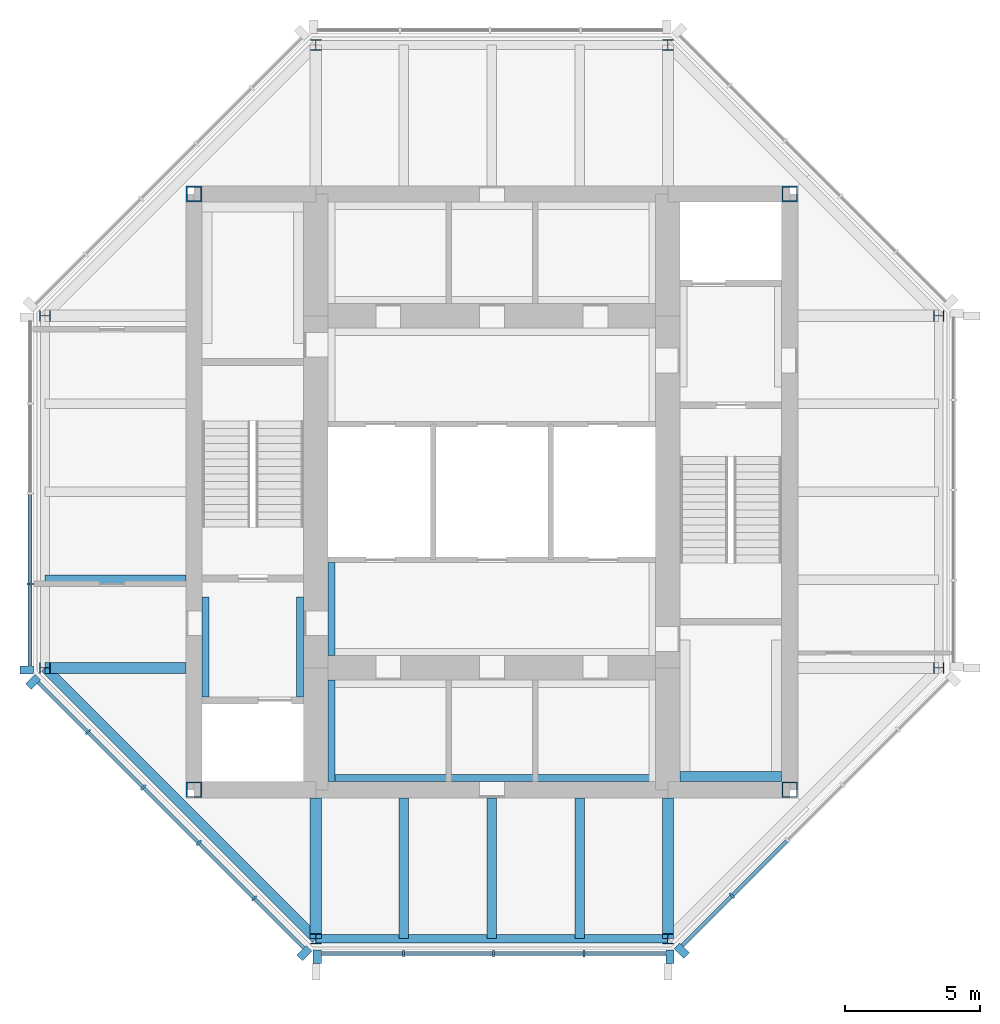
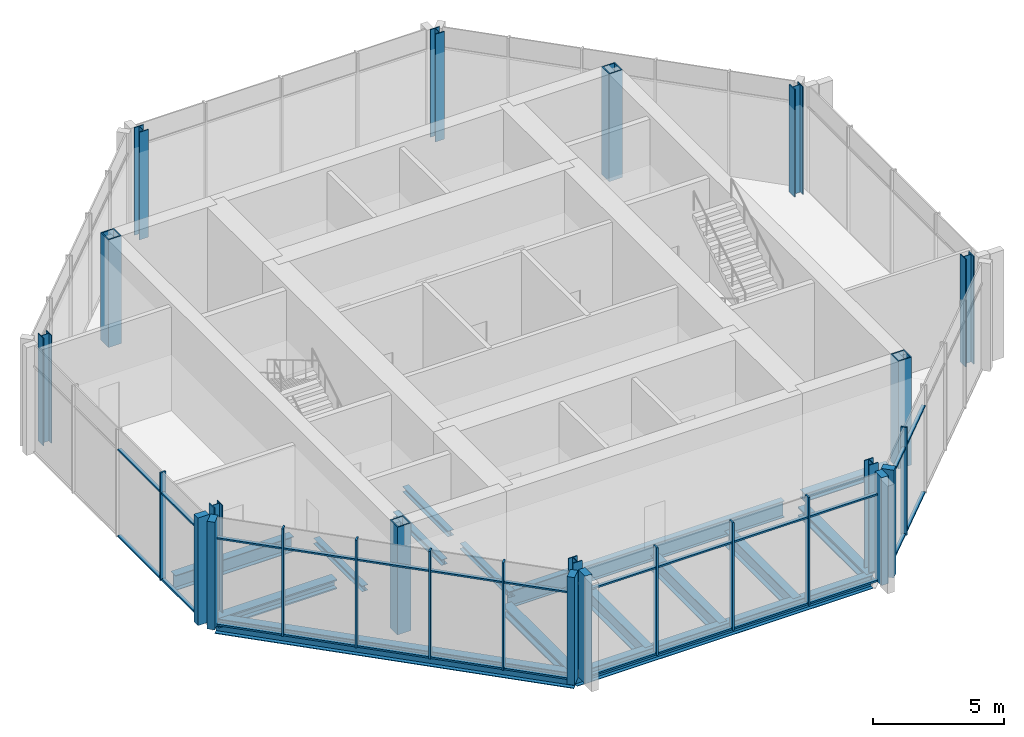
# One storey, part 1 of 7: 41 members, 15 beams, 12 columns, 4 elements without a shape of their own.
"""IFC4 building model written with IfcOpenShell, lengths in metres."""

from ifc_helpers import new_model, si_unit, direction, frame, origin, origin_2d, place, context, subcontext, project, spatial, rectangle, hollow_rectangle, i_section, extrude, material, material_profile, profile_set, type_object, element, aggregate, save


model = new_model("IFC4")

# Units and contexts
model_context = context("Model", 3, precision=1e-05, world=origin(), true_north=direction((0.0, 1.0)))
body_context = subcontext(model_context, "Body", "Model", "MODEL_VIEW")
ifc_project = project(units=[si_unit("LENGTHUNIT", "METRE"), si_unit("AREAUNIT", "SQUARE_METRE"), si_unit("VOLUMEUNIT", "CUBIC_METRE"), si_unit("PLANEANGLEUNIT", "RADIAN"), si_unit("MASSUNIT", "GRAM", prefix="KILO")], contexts=[model_context])

# Site, building, storey
site_placement = place(None, origin())
site = spatial("IfcSite", under=ifc_project, at=site_placement, CompositionType="ELEMENT")
building_placement = place(site_placement, origin())
building = spatial("IfcBuilding", under=site, at=building_placement, Name="Trevanion Tower", CompositionType="ELEMENT")
storey_placement = place(building_placement, frame((0.0, 0.0, 299.199951171875)))
storey = spatial("IfcBuildingStorey", under=building, at=storey_placement, Name="L74", CompositionType="ELEMENT", Elevation=299.199951171875)

# Columns
ifc_material_1 = material(Name="Steel ASTM A913 Grade 65", Category="steel")
ifc_material_profile_1 = material_profile(ifc_material_1, i_section(OverallWidth=0.4013671875, OverallDepth=0.398681640625, WebThickness=0.02490234375, FlangeThickness=0.03955078125, at=origin_2d()), Name="W14X211")
ifc_profile_set_1 = profile_set([ifc_material_profile_1], Name="Steel ASTM A913 Grade 65")
column_type_1 = type_object("IfcColumnType", Name="C6 W14X211", PredefinedType="COLUMN", material=ifc_profile_set_1)
for number, where, z_axis, x_axis, name in (
    (1, (-16.5, -6.5, 0.0), (0.0, 0.0, 1.0), (0.0, 1.0, 0.0), "C6 7/G L74"),
    (2, (-6.5, -16.5, 0.0), (0.0, 0.0, 1.0), (1.0, 0.0, 0.0), "C6 9/E L74"),
    (3, (6.5, -16.5, 0.0), (0.0, 0.0, 1.0), (1.0, 0.0, 0.0), "C6 11/E L74"),
    (4, (16.5, -6.5, 0.0), (0.0, 0.0, 1.0), (0.0, 1.0, 0.0), "C6 13/G L74"),
    (5, (16.5, 6.5, 0.0), (0.0, 0.0, 1.0), (0.0, 1.0, 0.0), "C6 13/J L74"),
    (6, (6.5, 16.5, 0.0), (0.0, 0.0, 1.0), (1.0, 0.0, 0.0), "C6 11/L L74"),
    (7, (-6.5, 16.5, 0.0), (0.0, 0.0, 1.0), (1.0, 0.0, 0.0), "C6 9/L L74"),
    (8, (-16.5, 6.5, 0.0), (0.0, 0.0, 1.0), (0.0, 1.0, 0.0), "C6 7/J L74"),
):
    element("IfcColumn", number, at=place(storey_placement, frame(where, z_axis=z_axis, x_axis=x_axis)), inside=storey, type_object=column_type_1, Name=name, PredefinedType="COLUMN", context=body_context, shape_type="SweptSolid", body=[
        extrude(i_section(OverallWidth=0.4013671875, OverallDepth=0.398681640625, WebThickness=0.02490234375, FlangeThickness=0.03955078125, at=origin_2d()), origin(), (0.0, 0.0, 1.0), 5.0),
    ])
ifc_material_2 = material(Name="Steel ASTM A572 Grade 50", Category="steel")
ifc_material_profile_2 = material_profile(ifc_material_2, hollow_rectangle(XDim=0.584228515625, YDim=0.584228515625, WallThickness=0.05078125, at=origin_2d()), Name="BOX23X23X2")
ifc_profile_set_2 = profile_set([ifc_material_profile_2], Name="Steel ASTM A572 Grade 50")
column_type_2 = type_object("IfcColumnType", Name="CB1 BOX23X23X2", PredefinedType="COLUMN", material=ifc_profile_set_2)
for number, where, z_axis, x_axis, name in (
    (9, (11.0, 11.0, 0.0), (0.0, 0.0, 1.0), (1.0, 0.0, 0.0), "CB1 NE L74"),
    (10, (-11.0, 11.0, 0.0), (0.0, 0.0, 1.0), (1.0, 0.0, 0.0), "CB1 NW L74"),
    (11, (-11.0, -11.0, 0.0), (0.0, 0.0, 1.0), (1.0, 0.0, 0.0), "CB1 SW L74"),
    (12, (11.0, -11.0, 0.0), (0.0, 0.0, 1.0), (1.0, 0.0, 0.0), "CB1 SE L74"),
):
    element("IfcColumn", number, at=place(storey_placement, frame(where, z_axis=z_axis, x_axis=x_axis)), inside=storey, type_object=column_type_2, Name=name, PredefinedType="COLUMN", context=body_context, shape_type="SweptSolid", body=[
        extrude(hollow_rectangle(XDim=0.584228515625, YDim=0.584228515625, WallThickness=0.05078125, at=origin_2d()), origin(), (0.0, 0.0, 1.0), 5.0),
    ])

# Beams
ifc_material_3 = material(Name="Steel ASTM A992 Grade 50", Category="steel")
ifc_material_profile_3 = material_profile(ifc_material_3, i_section(OverallWidth=0.355712890625, OverallDepth=0.700927734375, WebThickness=0.016845703125, FlangeThickness=0.02734375, at=origin_2d()), Name="W27X161")
ifc_profile_set_3 = profile_set([ifc_material_profile_3], Name="Steel ASTM A992 Grade 50")
beam_type_1 = type_object("IfcBeamType", Name="B15 W27X161", PredefinedType="BEAM", material=ifc_profile_set_3)
for number, where, z_axis, x_axis, name in (
    (13, (-11.300048828125, -3.25, -0.54052734375), (-1.0, 0.0, 0.0), (0.0, -1.0, 0.0), "B15 L74"),
    (14, (-3.25, -11.300048828125, -0.54052734375), (0.0, -1.0, 0.0), (1.0, 0.0, 0.0), "B15 L74"),
    (15, (0.0, -11.300048828125, -0.54052734375), (0.0, -1.0, 0.0), (1.0, 0.0, 0.0), "B15 L74"),
    (16, (3.25, -11.300048828125, -0.54052734375), (0.0, -1.0, 0.0), (1.0, 0.0, 0.0), "B15 L74"),
):
    element("IfcBeam", number, at=place(storey_placement, frame(where, z_axis=z_axis, x_axis=x_axis)), inside=storey, type_object=beam_type_1, Name=name, PredefinedType="BEAM", context=body_context, shape_type="SweptSolid", body=[
        extrude(i_section(OverallWidth=0.355712890625, OverallDepth=0.700927734375, WebThickness=0.016845703125, FlangeThickness=0.02734375, at=origin_2d()), origin(), (0.0, 0.0, 1.0), 5.199951171875),
    ])

# Curtain wall, member
ifc_material_4 = material(Name="Aluminium and glass", Category="aluminium")
curtain_wall_type = type_object("IfcCurtainWallType", Name="CW4 curtain wall", PredefinedType="USERDEFINED", material=ifc_material_4)
curtain_wall_1_placement = place(storey_placement, origin())
curtain_wall_1 = element("IfcCurtainWall", 17, at=curtain_wall_1_placement, inside=storey, type_object=curtain_wall_type, Name="CW4 L74 4", ObjectType="UNITISED CURTAIN WALL", PredefinedType="USERDEFINED")
ifc_material_5 = material(Name="Aluminium extrusion, anodised bronze", Category="aluminium")
ifc_material_profile_4 = material_profile(ifc_material_5, rectangle(XDim=0.074951171875, YDim=0.25, at=origin_2d()), Name="CW4 mullion")
ifc_profile_set_4 = profile_set([ifc_material_profile_4], Name="Aluminium extrusion, anodised bronze")
member_type_1 = type_object("IfcMemberType", Name="CW4 mullion", PredefinedType="MULLION", material=ifc_profile_set_4)
member_1_placement = place(storey_placement, frame((-17.050048828125, -3.396484375, -0.18994140625), z_axis=(0.0, 0.0, 1.0), x_axis=(0.0, -1.0, 0.0)))
member_1 = element("IfcMember", 18, at=member_1_placement, type_object=member_type_1, Name="CW4 mullion 4", PredefinedType="MULLION", context=body_context, shape_type="SweptSolid", body=[
    extrude(rectangle(XDim=0.074951171875, YDim=0.25, at=origin_2d()), origin(), (0.0, 0.0, 1.0), 5.0),
])

# Curtain wall, members
curtain_wall_2_placement = place(storey_placement, origin())
curtain_wall_2 = element("IfcCurtainWall", 19, at=curtain_wall_2_placement, inside=storey, type_object=curtain_wall_type, Name="CW4 L74 5", ObjectType="UNITISED CURTAIN WALL", PredefinedType="USERDEFINED")
member_2_placement = place(storey_placement, frame((-14.912109375, -8.86572265625, -0.18994140625), z_axis=(0.0, 0.0, 1.0), x_axis=(0.707106781187, -0.707106781187, 0.0)))
member_2 = element("IfcMember", 20, at=member_2_placement, type_object=member_type_1, Name="CW4 mullion 2", PredefinedType="MULLION", context=body_context, shape_type="SweptSolid", body=[
    extrude(rectangle(XDim=0.074951171875, YDim=0.25, at=origin_2d()), origin(), (0.0, 0.0, 1.0), 5.0),
])
member_3_placement = place(storey_placement, frame((-12.865966796875, -10.911865234375, -0.18994140625), z_axis=(0.0, 0.0, 1.0), x_axis=(0.707106781187, -0.707106781187, 0.0)))
member_3 = element("IfcMember", 21, at=member_3_placement, type_object=member_type_1, Name="CW4 mullion 3", PredefinedType="MULLION", context=body_context, shape_type="SweptSolid", body=[
    extrude(rectangle(XDim=0.074951171875, YDim=0.25, at=origin_2d()), origin(), (0.0, 0.0, 1.0), 5.0),
])
member_4_placement = place(storey_placement, frame((-10.81982421875, -12.9580078125, -0.18994140625), z_axis=(0.0, 0.0, 1.0), x_axis=(0.707106781187, -0.707106781187, 0.0)))
member_4 = element("IfcMember", 22, at=member_4_placement, type_object=member_type_1, Name="CW4 mullion 4", PredefinedType="MULLION", context=body_context, shape_type="SweptSolid", body=[
    extrude(rectangle(XDim=0.074951171875, YDim=0.25, at=origin_2d()), origin(), (0.0, 0.0, 1.0), 5.0),
])
member_5_placement = place(storey_placement, frame((-8.77392578125, -15.00390625, -0.18994140625), z_axis=(0.0, 0.0, 1.0), x_axis=(0.707106781187, -0.707106781187, 0.0)))
member_5 = element("IfcMember", 23, at=member_5_placement, type_object=member_type_1, Name="CW4 mullion 5", PredefinedType="MULLION", context=body_context, shape_type="SweptSolid", body=[
    extrude(rectangle(XDim=0.074951171875, YDim=0.25, at=origin_2d()), origin(), (0.0, 0.0, 1.0), 5.0),
])

curtain_wall_3_placement = place(storey_placement, origin())
curtain_wall_3 = element("IfcCurtainWall", 24, at=curtain_wall_3_placement, inside=storey, type_object=curtain_wall_type, Name="CW4 L74 6", ObjectType="UNITISED CURTAIN WALL", PredefinedType="USERDEFINED")
member_6_placement = place(storey_placement, frame((-3.266357421875, -17.050048828125, -0.18994140625), z_axis=(0.0, 0.0, 1.0), x_axis=(1.0, 0.0, 0.0)))
member_6 = element("IfcMember", 25, at=member_6_placement, type_object=member_type_1, Name="CW4 mullion 2", PredefinedType="MULLION", context=body_context, shape_type="SweptSolid", body=[
    extrude(rectangle(XDim=0.074951171875, YDim=0.25, at=origin_2d()), origin(), (0.0, 0.0, 1.0), 5.0),
])
member_7_placement = place(storey_placement, frame((0.06494140625, -17.050048828125, -0.18994140625), z_axis=(0.0, 0.0, 1.0), x_axis=(1.0, 0.0, 0.0)))
member_7 = element("IfcMember", 26, at=member_7_placement, type_object=member_type_1, Name="CW4 mullion 3", PredefinedType="MULLION", context=body_context, shape_type="SweptSolid", body=[
    extrude(rectangle(XDim=0.074951171875, YDim=0.25, at=origin_2d()), origin(), (0.0, 0.0, 1.0), 5.0),
])
member_8_placement = place(storey_placement, frame((3.396484375, -17.050048828125, -0.18994140625), z_axis=(0.0, 0.0, 1.0), x_axis=(1.0, 0.0, 0.0)))
member_8 = element("IfcMember", 27, at=member_8_placement, type_object=member_type_1, Name="CW4 mullion 4", PredefinedType="MULLION", context=body_context, shape_type="SweptSolid", body=[
    extrude(rectangle(XDim=0.074951171875, YDim=0.25, at=origin_2d()), origin(), (0.0, 0.0, 1.0), 5.0),
])

# Curtain wall, member
curtain_wall_4_placement = place(storey_placement, origin())
curtain_wall_4 = element("IfcCurtainWall", 28, at=curtain_wall_4_placement, inside=storey, type_object=curtain_wall_type, Name="CW4 L74 7", ObjectType="UNITISED CURTAIN WALL", PredefinedType="USERDEFINED")
member_9_placement = place(storey_placement, frame((8.86572265625, -14.912109375, -0.18994140625), z_axis=(0.0, 0.0, 1.0), x_axis=(0.707106781187, 0.707106781187, 0.0)))
member_9 = element("IfcMember", 29, at=member_9_placement, type_object=member_type_1, Name="CW4 mullion 2", PredefinedType="MULLION", context=body_context, shape_type="SweptSolid", body=[
    extrude(rectangle(XDim=0.074951171875, YDim=0.25, at=origin_2d()), origin(), (0.0, 0.0, 1.0), 5.0),
])

# Member
ifc_material_6 = material(Name="Aluminium extrusion, anodised bronze", Category="aluminium")
ifc_material_profile_5 = material_profile(ifc_material_6, rectangle(XDim=0.300048828125, YDim=0.5, at=origin_2d()), Name="CW4 pier mullion")
ifc_profile_set_5 = profile_set([ifc_material_profile_5], Name="Aluminium extrusion, anodised bronze")
member_type_2 = type_object("IfcMemberType", Name="CW4 pier mullion", PredefinedType="MULLION", material=ifc_profile_set_5)
member_10_placement = place(storey_placement, frame((-17.175048828125, -6.577880859375, -0.18994140625), z_axis=(0.0, 0.0, 1.0), x_axis=(0.0, -1.0, 0.0)))
member_10 = element("IfcMember", 30, at=member_10_placement, type_object=member_type_2, Name="CW4 pier mullion 5", PredefinedType="MULLION", context=body_context, shape_type="SweptSolid", body=[
    extrude(rectangle(XDim=0.300048828125, YDim=0.5, at=origin_2d()), origin(), (0.0, 0.0, 1.0), 5.0),
])

member_11_placement = place(storey_placement, frame((-16.9404296875, -7.01416015625, -0.18994140625), z_axis=(0.0, 0.0, 1.0), x_axis=(0.707106781187, -0.707106781187, 0.0)))
member_11 = element("IfcMember", 31, at=member_11_placement, type_object=member_type_2, Name="CW4 pier mullion 1", PredefinedType="MULLION", context=body_context, shape_type="SweptSolid", body=[
    extrude(rectangle(XDim=0.300048828125, YDim=0.5, at=origin_2d()), origin(), (0.0, 0.0, 1.0), 5.0),
])

member_12_placement = place(storey_placement, frame((-6.92236328125, -17.0322265625, -0.18994140625), z_axis=(0.0, 0.0, 1.0), x_axis=(0.707106781187, -0.707106781187, 0.0)))
member_12 = element("IfcMember", 32, at=member_12_placement, type_object=member_type_2, Name="CW4 pier mullion 6", PredefinedType="MULLION", context=body_context, shape_type="SweptSolid", body=[
    extrude(rectangle(XDim=0.300048828125, YDim=0.5, at=origin_2d()), origin(), (0.0, 0.0, 1.0), 5.0),
])

member_13_placement = place(storey_placement, frame((-6.44775390625, -17.175048828125, -0.18994140625), z_axis=(0.0, 0.0, 1.0), x_axis=(1.0, 0.0, 0.0)))
member_13 = element("IfcMember", 33, at=member_13_placement, type_object=member_type_2, Name="CW4 pier mullion 1", PredefinedType="MULLION", context=body_context, shape_type="SweptSolid", body=[
    extrude(rectangle(XDim=0.300048828125, YDim=0.5, at=origin_2d()), origin(), (0.0, 0.0, 1.0), 5.0),
])

member_14_placement = place(storey_placement, frame((6.577880859375, -17.175048828125, -0.18994140625), z_axis=(0.0, 0.0, 1.0), x_axis=(1.0, 0.0, 0.0)))
member_14 = element("IfcMember", 34, at=member_14_placement, type_object=member_type_2, Name="CW4 pier mullion 5", PredefinedType="MULLION", context=body_context, shape_type="SweptSolid", body=[
    extrude(rectangle(XDim=0.300048828125, YDim=0.5, at=origin_2d()), origin(), (0.0, 0.0, 1.0), 5.0),
])

member_15_placement = place(storey_placement, frame((7.01416015625, -16.9404296875, -0.18994140625), z_axis=(0.0, 0.0, 1.0), x_axis=(0.707106781187, 0.707106781187, 0.0)))
member_15 = element("IfcMember", 35, at=member_15_placement, type_object=member_type_2, Name="CW4 pier mullion 1", PredefinedType="MULLION", context=body_context, shape_type="SweptSolid", body=[
    extrude(rectangle(XDim=0.300048828125, YDim=0.5, at=origin_2d()), origin(), (0.0, 0.0, 1.0), 5.0),
])

ifc_material_7 = material(Name="Aluminium extrusion, anodised bronze", Category="aluminium")
ifc_material_profile_6 = material_profile(ifc_material_7, rectangle(XDim=0.14990234375, YDim=0.074951171875, at=origin_2d()), Name="CW4 transom")
ifc_profile_set_6 = profile_set([ifc_material_profile_6], Name="Aluminium extrusion, anodised bronze")
member_type_3 = type_object("IfcMemberType", Name="CW4 transom", PredefinedType="USERDEFINED", material=ifc_profile_set_6)
member_16_placement = place(storey_placement, frame((-17.050048828125, -0.1025390625, -0.15234375), z_axis=(0.0, -1.0, 0.0), x_axis=(1.0, 0.0, 0.0)))
member_16 = element("IfcMember", 36, at=member_16_placement, type_object=member_type_3, Name="CW4 transom 3.1", ObjectType="TRANSOM", PredefinedType="USERDEFINED", context=body_context, shape_type="SweptSolid", body=[
    extrude(rectangle(XDim=0.14990234375, YDim=0.074951171875, at=origin_2d()), origin(), (0.0, 0.0, 1.0), 3.25634765625),
])

member_17_placement = place(storey_placement, frame((-17.050048828125, -0.1025390625, 3.860107421875), z_axis=(0.0, -1.0, 0.0), x_axis=(1.0, 0.0, 0.0)))
member_17 = element("IfcMember", 37, at=member_17_placement, type_object=member_type_3, Name="CW4 transom 3.2", ObjectType="TRANSOM", PredefinedType="USERDEFINED", context=body_context, shape_type="SweptSolid", body=[
    extrude(rectangle(XDim=0.14990234375, YDim=0.074951171875, at=origin_2d()), origin(), (0.0, 0.0, 1.0), 3.25634765625),
])

member_18_placement = place(storey_placement, frame((-17.050048828125, -3.433837890625, -0.15234375), z_axis=(0.0, -1.0, 0.0), x_axis=(1.0, 0.0, 0.0)))
member_18 = element("IfcMember", 38, at=member_18_placement, type_object=member_type_3, Name="CW4 transom 4.1", ObjectType="TRANSOM", PredefinedType="USERDEFINED", context=body_context, shape_type="SweptSolid", body=[
    extrude(rectangle(XDim=0.14990234375, YDim=0.074951171875, at=origin_2d()), origin(), (0.0, 0.0, 1.0), 2.993896484375),
])

member_19_placement = place(storey_placement, frame((-17.050048828125, -3.433837890625, 3.860107421875), z_axis=(0.0, -1.0, 0.0), x_axis=(1.0, 0.0, 0.0)))
member_19 = element("IfcMember", 39, at=member_19_placement, type_object=member_type_3, Name="CW4 transom 4.2", ObjectType="TRANSOM", PredefinedType="USERDEFINED", context=body_context, shape_type="SweptSolid", body=[
    extrude(rectangle(XDim=0.14990234375, YDim=0.074951171875, at=origin_2d()), origin(), (0.0, 0.0, 1.0), 2.993896484375),
])

aggregate(curtain_wall_1, [member_1, member_10, member_16, member_17, member_18, member_19])

member_20_placement = place(storey_placement, frame((-16.745849609375, -7.031982421875, -0.15234375), z_axis=(0.707106781187, -0.707106781187, 0.0), x_axis=(0.707106781187, 0.707106781187, 0.0)))
member_20 = element("IfcMember", 40, at=member_20_placement, type_object=member_type_3, Name="CW4 transom 1.1", ObjectType="TRANSOM", PredefinedType="USERDEFINED", context=body_context, shape_type="SweptSolid", body=[
    extrude(rectangle(XDim=0.14990234375, YDim=0.074951171875, at=origin_2d()), origin(), (0.0, 0.0, 1.0), 2.555908203125),
])

member_21_placement = place(storey_placement, frame((-16.745849609375, -7.031982421875, 3.860107421875), z_axis=(0.707106781187, -0.707106781187, 0.0), x_axis=(0.707106781187, 0.707106781187, 0.0)))
member_21 = element("IfcMember", 41, at=member_21_placement, type_object=member_type_3, Name="CW4 transom 1.2", ObjectType="TRANSOM", PredefinedType="USERDEFINED", context=body_context, shape_type="SweptSolid", body=[
    extrude(rectangle(XDim=0.14990234375, YDim=0.074951171875, at=origin_2d()), origin(), (0.0, 0.0, 1.0), 2.555908203125),
])

member_22_placement = place(storey_placement, frame((-14.885498046875, -8.892333984375, -0.15234375), z_axis=(0.707106781187, -0.707106781187, 0.0), x_axis=(0.707106781187, 0.707106781187, 0.0)))
member_22 = element("IfcMember", 42, at=member_22_placement, type_object=member_type_3, Name="CW4 transom 2.1", ObjectType="TRANSOM", PredefinedType="USERDEFINED", context=body_context, shape_type="SweptSolid", body=[
    extrude(rectangle(XDim=0.14990234375, YDim=0.074951171875, at=origin_2d()), origin(), (0.0, 0.0, 1.0), 2.818359375),
])

member_23_placement = place(storey_placement, frame((-14.885498046875, -8.892333984375, 3.860107421875), z_axis=(0.707106781187, -0.707106781187, 0.0), x_axis=(0.707106781187, 0.707106781187, 0.0)))
member_23 = element("IfcMember", 43, at=member_23_placement, type_object=member_type_3, Name="CW4 transom 2.2", ObjectType="TRANSOM", PredefinedType="USERDEFINED", context=body_context, shape_type="SweptSolid", body=[
    extrude(rectangle(XDim=0.14990234375, YDim=0.074951171875, at=origin_2d()), origin(), (0.0, 0.0, 1.0), 2.818359375),
])

member_24_placement = place(storey_placement, frame((-12.839599609375, -10.9384765625, -0.15234375), z_axis=(0.707150088905, -0.707063470815, 0.0), x_axis=(0.707063470815, 0.707150088905, 0.0)))
member_24 = element("IfcMember", 44, at=member_24_placement, type_object=member_type_3, Name="CW4 transom 3.1", ObjectType="TRANSOM", PredefinedType="USERDEFINED", context=body_context, shape_type="SweptSolid", body=[
    extrude(rectangle(XDim=0.14990234375, YDim=0.074951171875, at=origin_2d()), origin(), (0.0, 0.0, 1.0), 2.818603515625),
])

member_25_placement = place(storey_placement, frame((-12.839599609375, -10.9384765625, 3.860107421875), z_axis=(0.707150088905, -0.707063470815, 0.0), x_axis=(0.707063470815, 0.707150088905, 0.0)))
member_25 = element("IfcMember", 45, at=member_25_placement, type_object=member_type_3, Name="CW4 transom 3.2", ObjectType="TRANSOM", PredefinedType="USERDEFINED", context=body_context, shape_type="SweptSolid", body=[
    extrude(rectangle(XDim=0.14990234375, YDim=0.074951171875, at=origin_2d()), origin(), (0.0, 0.0, 1.0), 2.818603515625),
])

member_26_placement = place(storey_placement, frame((-10.79345703125, -12.984375, -0.15234375), z_axis=(0.707150088905, -0.707063470815, 0.0), x_axis=(0.707063470815, 0.707150088905, 0.0)))
member_26 = element("IfcMember", 46, at=member_26_placement, type_object=member_type_3, Name="CW4 transom 4.1", ObjectType="TRANSOM", PredefinedType="USERDEFINED", context=body_context, shape_type="SweptSolid", body=[
    extrude(rectangle(XDim=0.14990234375, YDim=0.074951171875, at=origin_2d()), origin(), (0.0, 0.0, 1.0), 2.818603515625),
])

member_27_placement = place(storey_placement, frame((-10.79345703125, -12.984375, 3.860107421875), z_axis=(0.707150088905, -0.707063470815, 0.0), x_axis=(0.707063470815, 0.707150088905, 0.0)))
member_27 = element("IfcMember", 47, at=member_27_placement, type_object=member_type_3, Name="CW4 transom 4.2", ObjectType="TRANSOM", PredefinedType="USERDEFINED", context=body_context, shape_type="SweptSolid", body=[
    extrude(rectangle(XDim=0.14990234375, YDim=0.074951171875, at=origin_2d()), origin(), (0.0, 0.0, 1.0), 2.818603515625),
])

member_28_placement = place(storey_placement, frame((-8.747314453125, -15.030517578125, -0.15234375), z_axis=(0.707106781187, -0.707106781187, 0.0), x_axis=(0.707106781187, 0.707106781187, 0.0)))
member_28 = element("IfcMember", 48, at=member_28_placement, type_object=member_type_3, Name="CW4 transom 5.1", ObjectType="TRANSOM", PredefinedType="USERDEFINED", context=body_context, shape_type="SweptSolid", body=[
    extrude(rectangle(XDim=0.14990234375, YDim=0.074951171875, at=origin_2d()), origin(), (0.0, 0.0, 1.0), 2.555908203125),
])

member_29_placement = place(storey_placement, frame((-8.747314453125, -15.030517578125, 3.860107421875), z_axis=(0.707106781187, -0.707106781187, 0.0), x_axis=(0.707106781187, 0.707106781187, 0.0)))
member_29 = element("IfcMember", 49, at=member_29_placement, type_object=member_type_3, Name="CW4 transom 5.2", ObjectType="TRANSOM", PredefinedType="USERDEFINED", context=body_context, shape_type="SweptSolid", body=[
    extrude(rectangle(XDim=0.14990234375, YDim=0.074951171875, at=origin_2d()), origin(), (0.0, 0.0, 1.0), 2.555908203125),
])

aggregate(curtain_wall_2, [member_11, member_2, member_3, member_4, member_5, member_12, member_20, member_21, member_22, member_23, member_24, member_25, member_26, member_27, member_28, member_29])

member_30_placement = place(storey_placement, frame((-6.2978515625, -17.050048828125, -0.15234375), z_axis=(1.0, 0.0, 0.0), x_axis=(0.0, 1.0, 0.0)))
member_30 = element("IfcMember", 50, at=member_30_placement, type_object=member_type_3, Name="CW4 transom 1.1", ObjectType="TRANSOM", PredefinedType="USERDEFINED", context=body_context, shape_type="SweptSolid", body=[
    extrude(rectangle(XDim=0.14990234375, YDim=0.074951171875, at=origin_2d()), origin(), (0.0, 0.0, 1.0), 2.993896484375),
])

member_31_placement = place(storey_placement, frame((-6.2978515625, -17.050048828125, 3.860107421875), z_axis=(1.0, 0.0, 0.0), x_axis=(0.0, 1.0, 0.0)))
member_31 = element("IfcMember", 51, at=member_31_placement, type_object=member_type_3, Name="CW4 transom 1.2", ObjectType="TRANSOM", PredefinedType="USERDEFINED", context=body_context, shape_type="SweptSolid", body=[
    extrude(rectangle(XDim=0.14990234375, YDim=0.074951171875, at=origin_2d()), origin(), (0.0, 0.0, 1.0), 2.993896484375),
])

member_32_placement = place(storey_placement, frame((-3.22900390625, -17.050048828125, -0.15234375), z_axis=(1.0, 0.0, 0.0), x_axis=(0.0, 1.0, 0.0)))
member_32 = element("IfcMember", 52, at=member_32_placement, type_object=member_type_3, Name="CW4 transom 2.1", ObjectType="TRANSOM", PredefinedType="USERDEFINED", context=body_context, shape_type="SweptSolid", body=[
    extrude(rectangle(XDim=0.14990234375, YDim=0.074951171875, at=origin_2d()), origin(), (0.0, 0.0, 1.0), 3.256591796875),
])

member_33_placement = place(storey_placement, frame((-3.22900390625, -17.050048828125, 3.860107421875), z_axis=(1.0, 0.0, 0.0), x_axis=(0.0, 1.0, 0.0)))
member_33 = element("IfcMember", 53, at=member_33_placement, type_object=member_type_3, Name="CW4 transom 2.2", ObjectType="TRANSOM", PredefinedType="USERDEFINED", context=body_context, shape_type="SweptSolid", body=[
    extrude(rectangle(XDim=0.14990234375, YDim=0.074951171875, at=origin_2d()), origin(), (0.0, 0.0, 1.0), 3.256591796875),
])

member_34_placement = place(storey_placement, frame((0.1025390625, -17.050048828125, -0.15234375), z_axis=(1.0, 0.0, 0.0), x_axis=(0.0, 1.0, 0.0)))
member_34 = element("IfcMember", 54, at=member_34_placement, type_object=member_type_3, Name="CW4 transom 3.1", ObjectType="TRANSOM", PredefinedType="USERDEFINED", context=body_context, shape_type="SweptSolid", body=[
    extrude(rectangle(XDim=0.14990234375, YDim=0.074951171875, at=origin_2d()), origin(), (0.0, 0.0, 1.0), 3.25634765625),
])

member_35_placement = place(storey_placement, frame((0.1025390625, -17.050048828125, 3.860107421875), z_axis=(1.0, 0.0, 0.0), x_axis=(0.0, 1.0, 0.0)))
member_35 = element("IfcMember", 55, at=member_35_placement, type_object=member_type_3, Name="CW4 transom 3.2", ObjectType="TRANSOM", PredefinedType="USERDEFINED", context=body_context, shape_type="SweptSolid", body=[
    extrude(rectangle(XDim=0.14990234375, YDim=0.074951171875, at=origin_2d()), origin(), (0.0, 0.0, 1.0), 3.25634765625),
])

member_36_placement = place(storey_placement, frame((3.433837890625, -17.050048828125, -0.15234375), z_axis=(1.0, 0.0, 0.0), x_axis=(0.0, 1.0, 0.0)))
member_36 = element("IfcMember", 56, at=member_36_placement, type_object=member_type_3, Name="CW4 transom 4.1", ObjectType="TRANSOM", PredefinedType="USERDEFINED", context=body_context, shape_type="SweptSolid", body=[
    extrude(rectangle(XDim=0.14990234375, YDim=0.074951171875, at=origin_2d()), origin(), (0.0, 0.0, 1.0), 2.993896484375),
])

member_37_placement = place(storey_placement, frame((3.433837890625, -17.050048828125, 3.860107421875), z_axis=(1.0, 0.0, 0.0), x_axis=(0.0, 1.0, 0.0)))
member_37 = element("IfcMember", 57, at=member_37_placement, type_object=member_type_3, Name="CW4 transom 4.2", ObjectType="TRANSOM", PredefinedType="USERDEFINED", context=body_context, shape_type="SweptSolid", body=[
    extrude(rectangle(XDim=0.14990234375, YDim=0.074951171875, at=origin_2d()), origin(), (0.0, 0.0, 1.0), 2.993896484375),
])

aggregate(curtain_wall_3, [member_13, member_6, member_7, member_8, member_14, member_30, member_31, member_32, member_33, member_34, member_35, member_36, member_37])

member_38_placement = place(storey_placement, frame((7.031982421875, -16.745849609375, -0.15234375), z_axis=(0.707106781187, 0.707106781187, 0.0), x_axis=(-0.707106781187, 0.707106781187, 0.0)))
member_38 = element("IfcMember", 58, at=member_38_placement, type_object=member_type_3, Name="CW4 transom 1.1", ObjectType="TRANSOM", PredefinedType="USERDEFINED", context=body_context, shape_type="SweptSolid", body=[
    extrude(rectangle(XDim=0.14990234375, YDim=0.074951171875, at=origin_2d()), origin(), (0.0, 0.0, 1.0), 2.555908203125),
])

member_39_placement = place(storey_placement, frame((7.031982421875, -16.745849609375, 3.860107421875), z_axis=(0.707106781187, 0.707106781187, 0.0), x_axis=(-0.707106781187, 0.707106781187, 0.0)))
member_39 = element("IfcMember", 59, at=member_39_placement, type_object=member_type_3, Name="CW4 transom 1.2", ObjectType="TRANSOM", PredefinedType="USERDEFINED", context=body_context, shape_type="SweptSolid", body=[
    extrude(rectangle(XDim=0.14990234375, YDim=0.074951171875, at=origin_2d()), origin(), (0.0, 0.0, 1.0), 2.555908203125),
])

member_40_placement = place(storey_placement, frame((8.892333984375, -14.885498046875, -0.15234375), z_axis=(0.707106781187, 0.707106781187, 0.0), x_axis=(-0.707106781187, 0.707106781187, 0.0)))
member_40 = element("IfcMember", 60, at=member_40_placement, type_object=member_type_3, Name="CW4 transom 2.1", ObjectType="TRANSOM", PredefinedType="USERDEFINED", context=body_context, shape_type="SweptSolid", body=[
    extrude(rectangle(XDim=0.14990234375, YDim=0.074951171875, at=origin_2d()), origin(), (0.0, 0.0, 1.0), 2.818359375),
])

member_41_placement = place(storey_placement, frame((8.892333984375, -14.885498046875, 3.860107421875), z_axis=(0.707106781187, 0.707106781187, 0.0), x_axis=(-0.707106781187, 0.707106781187, 0.0)))
member_41 = element("IfcMember", 61, at=member_41_placement, type_object=member_type_3, Name="CW4 transom 2.2", ObjectType="TRANSOM", PredefinedType="USERDEFINED", context=body_context, shape_type="SweptSolid", body=[
    extrude(rectangle(XDim=0.14990234375, YDim=0.074951171875, at=origin_2d()), origin(), (0.0, 0.0, 1.0), 2.818359375),
])

aggregate(curtain_wall_4, [member_15, member_9, member_38, member_39, member_40, member_41])

# Beams
ifc_material_8 = material(Name="Steel ASTM A992 Grade 50", Category="steel")
ifc_material_profile_7 = material_profile(ifc_material_8, i_section(OverallWidth=0.41650390625, OverallDepth=0.444580078125, WebThickness=0.0390625, FlangeThickness=0.062744140625, at=origin_2d()), Name="W14X342")
ifc_profile_set_7 = profile_set([ifc_material_profile_7], Name="Steel ASTM A992 Grade 50")
beam_type_2 = type_object("IfcBeamType", Name="G8 W14X342", PredefinedType="BEAM", material=ifc_profile_set_7)
for number, where, z_axis, x_axis, name in (
    (62, (-11.300048828125, -6.5, -0.412109375), (-1.0, 0.0, 0.0), (0.0, -1.0, 0.0), "G8 L74"),
    (63, (-6.5, -11.300048828125, -0.412109375), (0.0, -1.0, 0.0), (1.0, 0.0, 0.0), "G8 L74"),
    (64, (6.5, -11.300048828125, -0.412109375), (0.0, -1.0, 0.0), (1.0, 0.0, 0.0), "G8 L74"),
):
    element("IfcBeam", number, at=place(storey_placement, frame(where, z_axis=z_axis, x_axis=x_axis)), inside=storey, type_object=beam_type_2, Name=name, PredefinedType="BEAM", context=body_context, shape_type="SweptSolid", body=[
        extrude(i_section(OverallWidth=0.41650390625, OverallDepth=0.444580078125, WebThickness=0.0390625, FlangeThickness=0.062744140625, at=origin_2d()), origin(), (0.0, 0.0, 1.0), 5.199951171875),
    ])
ifc_material_9 = material(Name="Steel ASTM A992 Grade 50", Category="steel")
ifc_material_profile_8 = material_profile(ifc_material_9, i_section(OverallWidth=0.256591796875, OverallDepth=0.26416015625, WebThickness=0.011962890625, FlangeThickness=0.01953125, at=origin_2d()), Name="W10X68")
ifc_profile_set_8 = profile_set([ifc_material_profile_8], Name="Steel ASTM A992 Grade 50")
beam_type_3 = type_object("IfcBeamType", Name="LB1 W10X68", PredefinedType="BEAM", material=ifc_profile_set_8)
beam_1_placement = place(storey_placement, frame((-5.921630859375, -6.050048828125, -0.33203125), z_axis=(0.0, 1.0, 0.0), x_axis=(-1.0, 0.0, 0.0)))
element("IfcBeam", 65, at=beam_1_placement, inside=storey, type_object=beam_type_3, Name="LB1 L74", PredefinedType="BEAM", context=body_context, shape_type="SweptSolid", body=[
    extrude(i_section(OverallWidth=0.256591796875, OverallDepth=0.26416015625, WebThickness=0.011962890625, FlangeThickness=0.01953125, at=origin_2d()), origin(), (0.0, 0.0, 1.0), 3.449951171875),
])
for number, where, z_axis, x_axis, name in (
    (66, (-10.57177734375, -7.574951171875, -0.33203125), (0.0, 1.0, 0.0), (-1.0, 0.0, 0.0), "LB1 L74"),
    (67, (-7.078369140625, -7.574951171875, -0.33203125), (0.0, 1.0, 0.0), (-1.0, 0.0, 0.0), "LB1 L74"),
):
    element("IfcBeam", number, at=place(storey_placement, frame(where, z_axis=z_axis, x_axis=x_axis)), inside=storey, type_object=beam_type_3, Name=name, PredefinedType="BEAM", context=body_context, shape_type="SweptSolid", body=[
        extrude(i_section(OverallWidth=0.256591796875, OverallDepth=0.26416015625, WebThickness=0.011962890625, FlangeThickness=0.01953125, at=origin_2d()), origin(), (0.0, 0.0, 1.0), 3.699951171875),
    ])
beam_2_placement = place(storey_placement, frame((-5.921630859375, -10.699951171875, -0.33203125), z_axis=(0.0, 1.0, 0.0), x_axis=(-1.0, 0.0, 0.0)))
element("IfcBeam", 68, at=beam_2_placement, inside=storey, type_object=beam_type_3, Name="LB1 L74", PredefinedType="BEAM", context=body_context, shape_type="SweptSolid", body=[
    extrude(i_section(OverallWidth=0.256591796875, OverallDepth=0.26416015625, WebThickness=0.011962890625, FlangeThickness=0.01953125, at=origin_2d()), origin(), (0.0, 0.0, 1.0), 3.75),
])
ifc_material_10 = material(Name="Steel ASTM A992 Grade 50", Category="steel")
ifc_material_profile_9 = material_profile(ifc_material_10, i_section(OverallWidth=0.373291015625, OverallDepth=0.373291015625, WebThickness=0.016357421875, FlangeThickness=0.026123046875, at=origin_2d()), Name="W14X132")
ifc_profile_set_9 = profile_set([ifc_material_profile_9], Name="Steel ASTM A992 Grade 50")
beam_type_4 = type_object("IfcBeamType", Name="LB2 W14X132", PredefinedType="BEAM", material=ifc_profile_set_9)
beam_3_placement = place(storey_placement, frame((6.949951171875, -10.51318359375, -0.38671875), z_axis=(1.0, 0.0, 0.0), x_axis=(0.0, 1.0, 0.0)))
element("IfcBeam", 69, at=beam_3_placement, inside=storey, type_object=beam_type_4, Name="LB2 L74", PredefinedType="BEAM", context=body_context, shape_type="SweptSolid", body=[
    extrude(i_section(OverallWidth=0.373291015625, OverallDepth=0.373291015625, WebThickness=0.016357421875, FlangeThickness=0.026123046875, at=origin_2d()), origin(), (0.0, 0.0, 1.0), 3.75),
])
ifc_material_11 = material(Name="Steel ASTM A992 Grade 50", Category="steel")
ifc_material_profile_10 = material_profile(ifc_material_11, i_section(OverallWidth=0.2666015625, OverallDepth=0.76953125, WebThickness=0.015625, FlangeThickness=0.025390625, at=origin_2d()), Name="W30X132")
ifc_profile_set_10 = profile_set([ifc_material_profile_10], Name="Steel ASTM A992 Grade 50")
beam_type_5 = type_object("IfcBeamType", Name="LB3 W30X132", PredefinedType="BEAM", material=ifc_profile_set_10)
beam_4_placement = place(storey_placement, frame((-6.050048828125, -10.566650390625, -0.584716796875), z_axis=(1.0, 0.0, 0.0), x_axis=(0.0, 1.0, 0.0)))
element("IfcBeam", 70, at=beam_4_placement, inside=storey, type_object=beam_type_5, Name="LB3 L74", PredefinedType="BEAM", context=body_context, shape_type="SweptSolid", body=[
    extrude(i_section(OverallWidth=0.2666015625, OverallDepth=0.76953125, WebThickness=0.015625, FlangeThickness=0.025390625, at=origin_2d()), origin(), (0.0, 0.0, 1.0), 12.10009765625),
])
ifc_material_12 = material(Name="Steel ASTM A992 Grade 50", Category="steel")
ifc_material_profile_11 = material_profile(ifc_material_12, i_section(OverallWidth=0.32763671875, OverallDepth=0.622314453125, WebThickness=0.015380859375, FlangeThickness=0.0244140625, at=origin_2d()), Name="W24X131")
ifc_profile_set_11 = profile_set([ifc_material_profile_11], Name="Steel ASTM A992 Grade 50")
beam_type_6 = type_object("IfcBeamType", Name="SB12 W24X131", PredefinedType="SPANDREL", material=ifc_profile_set_11)
beam_5_placement = place(storey_placement, frame((-6.5, -16.5, -0.501220703125), z_axis=(1.0, 0.0, 0.0), x_axis=(0.0, 1.0, 0.0)))
element("IfcBeam", 71, at=beam_5_placement, inside=storey, type_object=beam_type_6, Name="SB12 L74", PredefinedType="SPANDREL", context=body_context, shape_type="SweptSolid", body=[
    extrude(i_section(OverallWidth=0.32763671875, OverallDepth=0.622314453125, WebThickness=0.015380859375, FlangeThickness=0.0244140625, at=origin_2d()), origin(), (0.0, 0.0, 1.0), 13.0),
])
ifc_material_13 = material(Name="Steel ASTM A992 Grade 50", Category="steel")
ifc_material_profile_12 = material_profile(ifc_material_13, i_section(OverallWidth=0.358154296875, OverallDepth=0.7060546875, WebThickness=0.018310546875, FlangeThickness=0.0302734375, at=origin_2d()), Name="W27X178")
ifc_profile_set_12 = profile_set([ifc_material_profile_12], Name="Steel ASTM A992 Grade 50")
beam_type_7 = type_object("IfcBeamType", Name="SB13 W27X178", PredefinedType="SPANDREL", material=ifc_profile_set_12)
beam_6_placement = place(storey_placement, frame((-16.5, -6.5, -0.54296875), z_axis=(0.707106781187, -0.707106781187, 0.0), x_axis=(0.707106781187, 0.707106781187, 0.0)))
element("IfcBeam", 72, at=beam_6_placement, inside=storey, type_object=beam_type_7, Name="SB13 L74", PredefinedType="SPANDREL", context=body_context, shape_type="SweptSolid", body=[
    extrude(i_section(OverallWidth=0.358154296875, OverallDepth=0.7060546875, WebThickness=0.018310546875, FlangeThickness=0.0302734375, at=origin_2d()), origin(), (0.0, 0.0, 1.0), 14.14208984375),
])

save(model, "model.ifc")
